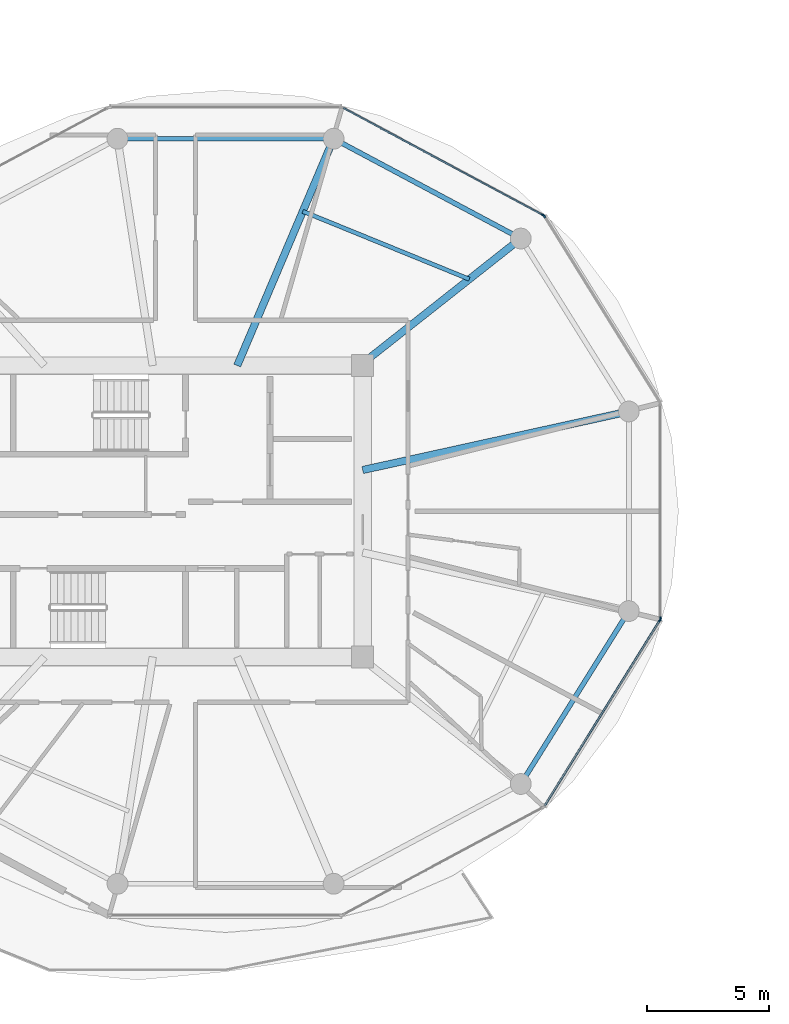
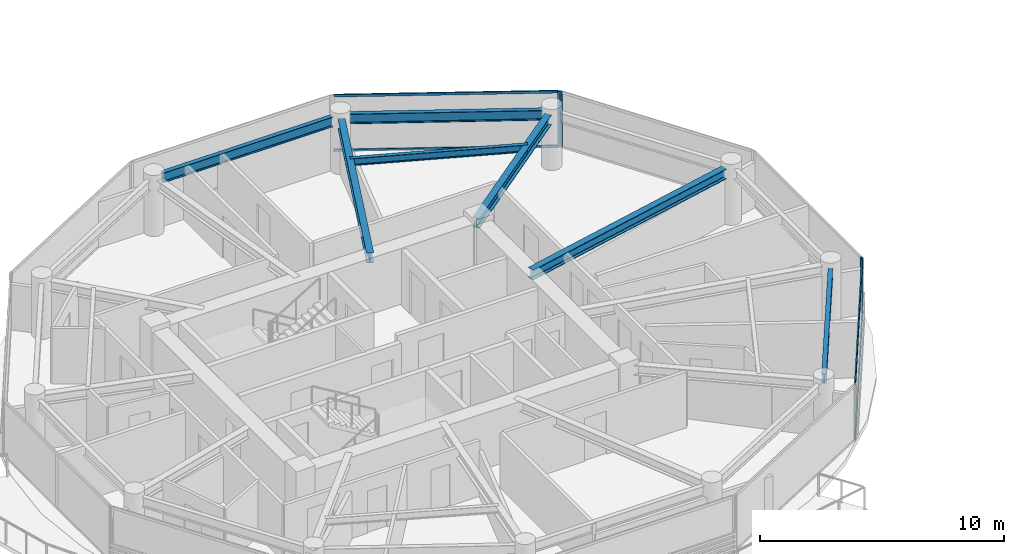
# One storey, part 5 of 24: 8 members, 7 beams, 4 elements without a shape of their own.
"""IFC4 building model written with IfcOpenShell, lengths in metres."""

from ifc_helpers import new_model, si_unit, direction, frame, origin, origin_2d, place, context, subcontext, project, spatial, rectangle, i_section, extrude, source, transform, mapped, material, layer, layer_set, material_profile, profile_set, type_object, type_shapes, element, aggregate, save


model = new_model("IFC4")

# Units and contexts
model_context = context("Model", 3, precision=1e-05, world=origin(), true_north=direction((0.0, 1.0)))
body_context = subcontext(model_context, "Body", "Model", "MODEL_VIEW")
ifc_project = project(units=[si_unit("LENGTHUNIT", "METRE"), si_unit("AREAUNIT", "SQUARE_METRE"), si_unit("VOLUMEUNIT", "CUBIC_METRE"), si_unit("PLANEANGLEUNIT", "RADIAN"), si_unit("MASSUNIT", "GRAM", prefix="KILO")], contexts=[model_context])

# Site, building, storey
site_placement = place(None, origin())
site = spatial("IfcSite", under=ifc_project, at=site_placement, CompositionType="ELEMENT")
building_placement = place(site_placement, origin())
building = spatial("IfcBuilding", under=site, at=building_placement, Name="Norrkilde Senior Care Towers", CompositionType="ELEMENT")
storey_placement = place(building_placement, frame((0.0, 0.0, 105.39990234375)))
storey = spatial("IfcBuildingStorey", under=building, at=storey_placement, Name="L32", CompositionType="ELEMENT", Elevation=105.39990234375)

# Beams
ifc_material_1 = material(Name="Steel S355", Category="steel")
ifc_material_profile_1 = material_profile(ifc_material_1, i_section(OverallWidth=0.199951171875, OverallDepth=0.5, WebThickness=0.01025390625, FlangeThickness=0.01611328125, FilletRadius=0.02099609375, at=origin_2d()), Name="IPE 500")
ifc_profile_set_1 = profile_set([ifc_material_profile_1], Name="Steel S355")
beam_type_1 = type_object("IfcBeamType", Name="Perimeter Ring Spandrel Z2 IPE500", PredefinedType="SPANDREL", material=ifc_profile_set_1)
shared_shape_1 = source(origin(), body_context, "Body", "SweptSolid", [
    extrude(i_section(OverallWidth=0.199951171875, OverallDepth=0.5, WebThickness=0.01025390625, FlangeThickness=0.01611328125, FilletRadius=0.02099609375, at=origin_2d()), origin(), (0.0, 0.0, 1.0), 7.55615234375),
])
beam_1_placement = place(storey_placement, frame((-13.689697265625, -10.810546875, 2.5400390625), z_axis=(0.529981514254, 0.848009194849, 0.0), x_axis=(-0.848009194849, 0.529981514254, 0.0)))
element("IfcBeam", 1, at=beam_1_placement, inside=storey, type_object=beam_type_1, Name="L32 Drum W Perimeter Spandrel 11", PredefinedType="SPANDREL", context=body_context, shape_type="MappedRepresentation", body=[
    mapped(shared_shape_1, transform((0.0, 0.0, 0.0), x_axis=(1.0, 0.0, 0.0), y_axis=(0.0, 1.0, 0.0), z_axis=(0.0, 0.0, 1.0), scale=1.0)),
])
ifc_material_profile_2 = material_profile(ifc_material_1, i_section(OverallWidth=0.300048828125, OverallDepth=0.5, WebThickness=0.014404296875, FlangeThickness=0.028076171875, FilletRadius=0.027099609375, at=origin_2d()), Name="HEB 500")
ifc_profile_set_2 = profile_set([ifc_material_profile_2], Name="Steel S355")
beam_type_2 = type_object("IfcBeamType", Name="Radial Floor Beam Z2 HEB500", PredefinedType="BEAM", material=ifc_profile_set_2)
shared_shape_2 = source(origin(), body_context, "Body", "SweptSolid", [
    extrude(i_section(OverallWidth=0.300048828125, OverallDepth=0.5, WebThickness=0.014404296875, FlangeThickness=0.028076171875, FilletRadius=0.027099609375, at=origin_2d()), origin(), (0.0, 0.0, 1.0), 10.744384765625),
])
beam_2_placement = place(storey_placement, frame((-20.35009765625, 1.683837890625, 2.5400390625), z_axis=(0.976618711422, 0.214978818724, 0.0), x_axis=(-0.214978818724, 0.976618711422, 0.0)))
element("IfcBeam", 2, at=beam_2_placement, inside=storey, type_object=beam_type_2, Name="L32 Drum W Radial Floor Beam 01", PredefinedType="BEAM", context=body_context, shape_type="MappedRepresentation", body=[
    mapped(shared_shape_2, transform((0.0, 0.0, 0.0), x_axis=(1.0, 0.0, 0.0), y_axis=(0.0, 1.0, 0.0), z_axis=(0.0, 0.0, 1.0), scale=1.0)),
])
shared_shape_3 = source(origin(), body_context, "Body", "SweptSolid", [
    extrude(i_section(OverallWidth=0.199951171875, OverallDepth=0.5, WebThickness=0.01025390625, FlangeThickness=0.01611328125, FilletRadius=0.02099609375, at=origin_2d()), origin(), (0.0, 0.0, 1.0), 7.892333984375),
])
beam_3_placement = place(storey_placement, frame((-14.233642578125, 11.318115234375, 2.5400390625), z_axis=(-0.882350372282, 0.47059305194, 0.0), x_axis=(-0.47059305194, -0.882350372282, 0.0)))
element("IfcBeam", 3, at=beam_3_placement, inside=storey, type_object=beam_type_1, Name="L32 Drum W Perimeter Spandrel 02", PredefinedType="SPANDREL", context=body_context, shape_type="MappedRepresentation", body=[
    mapped(shared_shape_3, transform((0.0, 0.0, 0.0), x_axis=(1.0, 0.0, 0.0), y_axis=(0.0, 1.0, 0.0), z_axis=(0.0, 0.0, 1.0), scale=1.0)),
])
shared_shape_4 = source(origin(), body_context, "Body", "SweptSolid", [
    extrude(i_section(OverallWidth=0.300048828125, OverallDepth=0.5, WebThickness=0.014404296875, FlangeThickness=0.028076171875, FilletRadius=0.027099609375, at=origin_2d()), origin(), (0.0, 0.0, 1.0), 7.985595703125),
])
beam_4_placement = place(storey_placement, frame((-20.463623046875, 5.949951171875, 2.5400390625), z_axis=(0.784858505144, 0.619675017169, 0.0), x_axis=(-0.619675017169, 0.784858505144, 0.0)))
element("IfcBeam", 4, at=beam_4_placement, inside=storey, type_object=beam_type_2, Name="L32 Drum W Radial Floor Beam 02", PredefinedType="BEAM", context=body_context, shape_type="MappedRepresentation", body=[
    mapped(shared_shape_4, transform((0.0, 0.0, 0.0), x_axis=(1.0, 0.0, 0.0), y_axis=(0.0, 1.0, 0.0), z_axis=(0.0, 0.0, 1.0), scale=1.0)),
])
shared_shape_5 = source(origin(), body_context, "Body", "SweptSolid", [
    extrude(i_section(OverallWidth=0.199951171875, OverallDepth=0.5, WebThickness=0.01025390625, FlangeThickness=0.01611328125, FilletRadius=0.02099609375, at=origin_2d()), origin(), (0.0, 0.0, 1.0), 8.0556640625),
])
type_shapes(beam_type_1, [shared_shape_1, shared_shape_3, shared_shape_5])
beam_5_placement = place(storey_placement, frame((-21.922119140625, 15.21337890625, 2.5400390625), z_axis=(-1.0, 0.0, 0.0), x_axis=(0.0, -1.0, 0.0)))
element("IfcBeam", 5, at=beam_5_placement, inside=storey, type_object=beam_type_1, Name="L32 Drum W Perimeter Spandrel 03", PredefinedType="SPANDREL", context=body_context, shape_type="MappedRepresentation", body=[
    mapped(shared_shape_5, transform((0.0, 0.0, 0.0), x_axis=(1.0, 0.0, 0.0), y_axis=(0.0, 1.0, 0.0), z_axis=(0.0, 0.0, 1.0), scale=1.0)),
])
shared_shape_6 = source(origin(), body_context, "Body", "SweptSolid", [
    extrude(i_section(OverallWidth=0.300048828125, OverallDepth=0.5, WebThickness=0.014404296875, FlangeThickness=0.028076171875, FilletRadius=0.027099609375, at=origin_2d()), origin(), (0.0, 0.0, 1.0), 9.679443359375),
])
type_shapes(beam_type_2, [shared_shape_2, shared_shape_4, shared_shape_6])
beam_6_placement = place(storey_placement, frame((-25.472412109375, 5.949951171875, 2.5400390625), z_axis=(0.390998033479, 0.920391513333, 0.0), x_axis=(-0.920391513333, 0.390998033479, 0.0)))
element("IfcBeam", 6, at=beam_6_placement, inside=storey, type_object=beam_type_2, Name="L32 Drum W Radial Floor Beam 03", PredefinedType="BEAM", context=body_context, shape_type="MappedRepresentation", body=[
    mapped(shared_shape_6, transform((0.0, 0.0, 0.0), x_axis=(1.0, 0.0, 0.0), y_axis=(0.0, 1.0, 0.0), z_axis=(0.0, 0.0, 1.0), scale=1.0)),
])
ifc_material_profile_3 = material_profile(ifc_material_1, i_section(OverallWidth=0.169921875, OverallDepth=0.360107421875, WebThickness=0.008056640625, FlangeThickness=0.0126953125, FilletRadius=0.01806640625, at=origin_2d()), Name="IPE 360")
ifc_profile_set_3 = profile_set([ifc_material_profile_3], Name="Steel S355")
beam_type_3 = type_object("IfcBeamType", Name="Secondary Floor Joist IPE360", PredefinedType="JOIST", material=ifc_profile_set_3)
shared_shape_7 = source(origin(), body_context, "Body", "SweptSolid", [
    extrude(i_section(OverallWidth=0.169921875, OverallDepth=0.360107421875, WebThickness=0.008056640625, FlangeThickness=0.0126953125, FilletRadius=0.01806640625, at=origin_2d()), origin(), (0.0, 0.0, 1.0), 7.343505859375),
])
type_shapes(beam_type_3, [shared_shape_7])
beam_7_placement = place(storey_placement, frame((-15.99609375, 9.47705078125, 2.610107421875), z_axis=(-0.926021784767, 0.377470070519, 0.0), x_axis=(-0.377470070519, -0.926021784767, 0.0)))
element("IfcBeam", 7, at=beam_7_placement, inside=storey, type_object=beam_type_3, Name="L32 Drum W Secondary Floor Joist 1", PredefinedType="JOIST", context=body_context, shape_type="MappedRepresentation", body=[
    mapped(shared_shape_7, transform((0.0, 0.0, 0.0), x_axis=(1.0, 0.0, 0.0), y_axis=(0.0, 1.0, 0.0), z_axis=(0.0, 0.0, 1.0), scale=1.0)),
])

# Curtain wall, member
ifc_material_2 = material(Name="Triple Low-E Insulated Glazing", Category="glass")
ifc_layer = layer(ifc_material_2, 0.195068359375)
ifc_layer_set = layer_set([ifc_layer], Name="Triple Low-E Insulated Glazing")
curtain_wall_type = type_object("IfcCurtainWallType", Name="CW3 Zone 2 Assisted Living Curtain Wall", PredefinedType="NOTDEFINED", material=ifc_layer_set)
curtain_wall_1_placement = place(storey_placement, origin())
curtain_wall_1 = element("IfcCurtainWall", 8, at=curtain_wall_1_placement, inside=storey, type_object=curtain_wall_type, Name="L32 Drum W Curtain Wall 00", PredefinedType="NOTDEFINED")
ifc_material_3 = material(Name="Anodised Aluminium", Category="aluminium")
ifc_material_profile_4 = material_profile(ifc_material_3, rectangle(XDim=0.06494140625, YDim=0.159912109375, at=origin_2d()), Name="ALU MULL 65x160")
ifc_profile_set_4 = profile_set([ifc_material_profile_4], Name="Anodised Aluminium")
member_type_1 = type_object("IfcMemberType", Name="Curtain Wall Mullion Z1-Z2 65x160", PredefinedType="MULLION", material=ifc_profile_set_4)
shared_shape_8 = source(origin(), body_context, "Body", "SweptSolid", [
    extrude(rectangle(XDim=0.06494140625, YDim=0.159912109375, at=origin_2d()), origin(), (0.0, 0.0, 1.0), 2.7900390625),
])
type_shapes(member_type_1, [shared_shape_8])
member_1_placement = place(storey_placement, frame((-12.936279296875, 12.0498046875, 0.0), z_axis=(0.0, 0.0, 1.0), x_axis=(0.849410171862, 0.527733228002, 0.0)))
member_1 = element("IfcMember", 9, at=member_1_placement, type_object=member_type_1, Name="CW-3 mullion 1", PredefinedType="MULLION", context=body_context, shape_type="MappedRepresentation", body=[
    mapped(shared_shape_8, transform((0.0, 0.0, 0.0), x_axis=(1.0, 0.0, 0.0), y_axis=(0.0, 1.0, 0.0), z_axis=(0.0, 0.0, 1.0), scale=1.0)),
])
aggregate(curtain_wall_1, [member_1])

curtain_wall_2_placement = place(storey_placement, origin())
curtain_wall_2 = element("IfcCurtainWall", 10, at=curtain_wall_2_placement, inside=storey, type_object=curtain_wall_type, Name="L32 Drum W Curtain Wall 01", PredefinedType="NOTDEFINED")
member_2_placement = place(storey_placement, frame((-12.98193359375, 12.0927734375, 0.0), z_axis=(0.0, 0.0, 1.0), x_axis=(0.472769402511, 0.881186184668, 0.0)))
member_2 = element("IfcMember", 11, at=member_2_placement, type_object=member_type_1, Name="CW-3 mullion 2", PredefinedType="MULLION", context=body_context, shape_type="MappedRepresentation", body=[
    mapped(shared_shape_8, transform((0.0, 0.0, 0.0), x_axis=(1.0, 0.0, 0.0), y_axis=(0.0, 1.0, 0.0), z_axis=(0.0, 0.0, 1.0), scale=1.0)),
])

curtain_wall_3_placement = place(storey_placement, origin())
curtain_wall_3 = element("IfcCurtainWall", 12, at=curtain_wall_3_placement, inside=storey, type_object=curtain_wall_type, Name="L32 Drum W Curtain Wall 10", PredefinedType="NOTDEFINED")
member_3_placement = place(storey_placement, frame((-8.21337890625, -4.4482421875, 0.0), z_axis=(0.0, 0.0, 1.0), x_axis=(0.849410171862, -0.527733228002, 0.0)))
member_3 = element("IfcMember", 13, at=member_3_placement, type_object=member_type_1, Name="CW-3 mullion 1", PredefinedType="MULLION", context=body_context, shape_type="MappedRepresentation", body=[
    mapped(shared_shape_8, transform((0.0, 0.0, 0.0), x_axis=(1.0, 0.0, 0.0), y_axis=(0.0, 1.0, 0.0), z_axis=(0.0, 0.0, 1.0), scale=1.0)),
])

curtain_wall_4_placement = place(storey_placement, origin())
curtain_wall_4 = element("IfcCurtainWall", 14, at=curtain_wall_4_placement, inside=storey, type_object=curtain_wall_type, Name="L32 Drum W Curtain Wall 11", PredefinedType="NOTDEFINED")
member_4_placement = place(storey_placement, frame((-8.1962890625, -4.38818359375, 0.0), z_axis=(0.0, 0.0, 1.0), x_axis=(1.0, 0.0, 0.0)))
member_4 = element("IfcMember", 15, at=member_4_placement, type_object=member_type_1, Name="CW-3 mullion 2", PredefinedType="MULLION", context=body_context, shape_type="MappedRepresentation", body=[
    mapped(shared_shape_8, transform((0.0, 0.0, 0.0), x_axis=(1.0, 0.0, 0.0), y_axis=(0.0, 1.0, 0.0), z_axis=(0.0, 0.0, 1.0), scale=1.0)),
])
aggregate(curtain_wall_4, [member_4])

# Member
ifc_material_profile_5 = material_profile(ifc_material_3, rectangle(XDim=0.06005859375, YDim=0.1201171875, at=origin_2d()), Name="ALU TRAN 60x120")
ifc_profile_set_5 = profile_set([ifc_material_profile_5], Name="Anodised Aluminium")
member_type_2 = type_object("IfcMemberType", Name="Curtain Wall Transom Typical 60x120", PredefinedType="USERDEFINED", material=ifc_profile_set_5)
shared_shape_9 = source(origin(), body_context, "Body", "SweptSolid", [
    extrude(rectangle(XDim=0.06005859375, YDim=0.1201171875, at=origin_2d()), origin(), (0.0, 0.0, 1.0), 8.88427734375),
])
member_5_placement = place(storey_placement, frame((-8.23046875, -4.475830078125, 0.030029296875), z_axis=(-0.527749293309, -0.849400190377, 0.0), x_axis=(0.849400190377, -0.527749293309, 0.0)))
member_5 = element("IfcMember", 16, at=member_5_placement, type_object=member_type_2, Name="CW-3 transom 1.1", ObjectType="TRANSOM", PredefinedType="USERDEFINED", context=body_context, shape_type="MappedRepresentation", body=[
    mapped(shared_shape_9, transform((0.0, 0.0, 0.0), x_axis=(1.0, 0.0, 0.0), y_axis=(0.0, 1.0, 0.0), z_axis=(0.0, 0.0, 1.0), scale=1.0)),
])

member_6_placement = place(storey_placement, frame((-8.23046875, -4.475830078125, 2.760009765625), z_axis=(-0.527749293309, -0.849400190377, 0.0), x_axis=(0.849400190377, -0.527749293309, 0.0)))
member_6 = element("IfcMember", 17, at=member_6_placement, type_object=member_type_2, Name="CW-3 transom 1.2", ObjectType="TRANSOM", PredefinedType="USERDEFINED", context=body_context, shape_type="MappedRepresentation", body=[
    mapped(shared_shape_9, transform((0.0, 0.0, 0.0), x_axis=(1.0, 0.0, 0.0), y_axis=(0.0, 1.0, 0.0), z_axis=(0.0, 0.0, 1.0), scale=1.0)),
])

aggregate(curtain_wall_3, [member_3, member_5, member_6])

shared_shape_10 = source(origin(), body_context, "Body", "SweptSolid", [
    extrude(rectangle(XDim=0.06005859375, YDim=0.1201171875, at=origin_2d()), origin(), (0.0, 0.0, 1.0), 9.220458984375),
])
type_shapes(member_type_2, [shared_shape_9, shared_shape_10])
member_7_placement = place(storey_placement, frame((-21.1357421875, 16.46728515625, 0.030029296875), z_axis=(0.881188517866, -0.472765053681, 0.0), x_axis=(0.472765053681, 0.881188517866, 0.0)))
member_7 = element("IfcMember", 18, at=member_7_placement, type_object=member_type_2, Name="CW-3 transom 1.1", ObjectType="TRANSOM", PredefinedType="USERDEFINED", context=body_context, shape_type="MappedRepresentation", body=[
    mapped(shared_shape_10, transform((0.0, 0.0, 0.0), x_axis=(1.0, 0.0, 0.0), y_axis=(0.0, 1.0, 0.0), z_axis=(0.0, 0.0, 1.0), scale=1.0)),
])

member_8_placement = place(storey_placement, frame((-21.1357421875, 16.46728515625, 2.760009765625), z_axis=(0.881188517866, -0.472765053681, 0.0), x_axis=(0.472765053681, 0.881188517866, 0.0)))
member_8 = element("IfcMember", 19, at=member_8_placement, type_object=member_type_2, Name="CW-3 transom 1.2", ObjectType="TRANSOM", PredefinedType="USERDEFINED", context=body_context, shape_type="MappedRepresentation", body=[
    mapped(shared_shape_10, transform((0.0, 0.0, 0.0), x_axis=(1.0, 0.0, 0.0), y_axis=(0.0, 1.0, 0.0), z_axis=(0.0, 0.0, 1.0), scale=1.0)),
])

aggregate(curtain_wall_2, [member_2, member_7, member_8])

save(model, "model.ifc")
